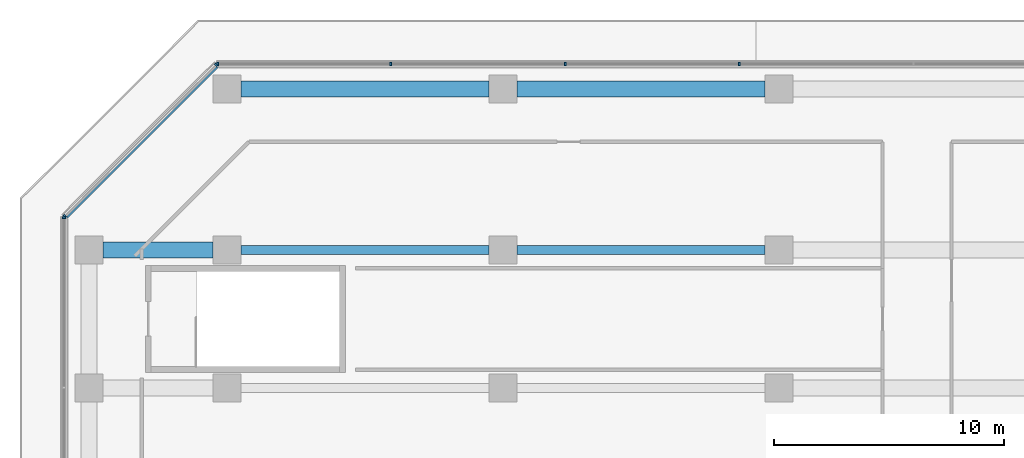
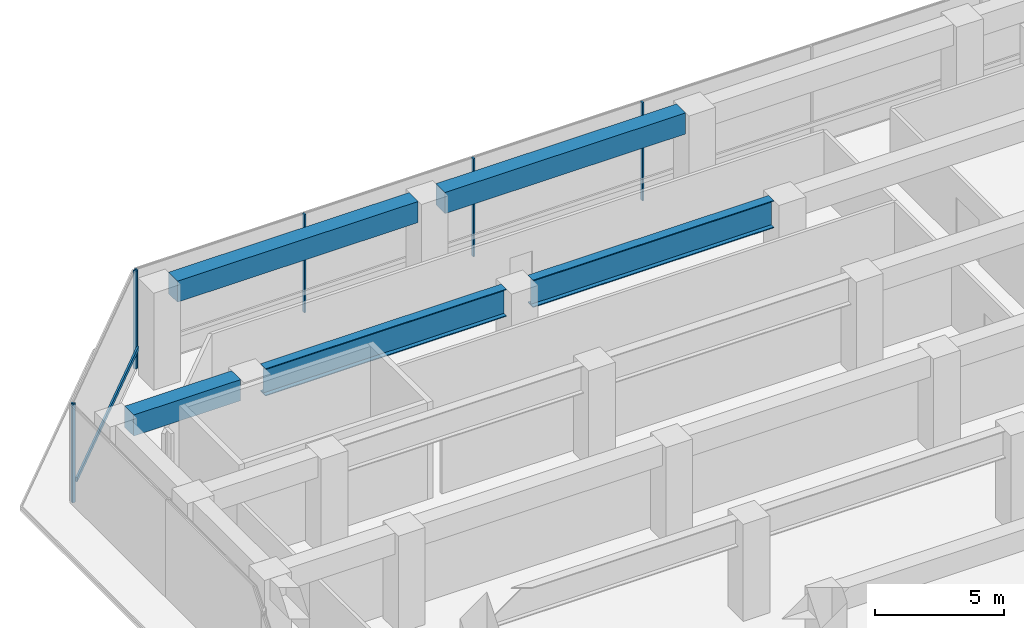
# One storey, part 18 of 40: 8 members, 5 beams, 3 elements without a shape of their own.
"""IFC4 building model written with IfcOpenShell, lengths in metres."""

from ifc_helpers import new_model, si_unit, direction, frame, origin, origin_2d, place, context, subcontext, project, spatial, rectangle, i_section, extrude, material, layer, layer_set, material_profile, profile_set, type_object, element, aggregate, save


model = new_model("IFC4")

# Units and contexts
model_context = context("Model", 3, precision=1e-05, world=origin(), true_north=direction((0.0, 1.0)))
body_context = subcontext(model_context, "Body", "Model", "MODEL_VIEW")
ifc_project = project(units=[si_unit("LENGTHUNIT", "METRE"), si_unit("AREAUNIT", "SQUARE_METRE"), si_unit("VOLUMEUNIT", "CUBIC_METRE"), si_unit("PLANEANGLEUNIT", "RADIAN"), si_unit("MASSUNIT", "GRAM", prefix="KILO")], contexts=[model_context])

# Site, building, storey
site_placement = place(None, origin())
site = spatial("IfcSite", under=ifc_project, at=site_placement, CompositionType="ELEMENT")
building_placement = place(site_placement, origin())
building = spatial("IfcBuilding", under=site, at=building_placement, Name="Welwitschia Terrace Campus", CompositionType="ELEMENT")
storey_placement = place(building_placement, frame((0.0, 0.0, 6.0)))
storey = spatial("IfcBuildingStorey", under=building, at=storey_placement, Name="L01", CompositionType="ELEMENT", Elevation=6.0)

# Beams
ifc_material_1 = material(Name="Concrete C60/75", Category="concrete")
ifc_material_profile_1 = material_profile(ifc_material_1, rectangle(XDim=0.699951171875, YDim=1.0, at=origin_2d()))
ifc_profile_set_1 = profile_set([ifc_material_profile_1], Name="Concrete C60/75")
beam_type_1 = type_object("IfcBeamType", Name="Base block beam 700x1000", PredefinedType="BEAM", material=ifc_profile_set_1)
beam_placement = place(storey_placement, frame((-5.3994140625, 62.0, 4.10009765625), z_axis=(1.0, 0.0, 0.0), x_axis=(0.0, 1.0, 0.0)))
element("IfcBeam", 1, at=beam_placement, inside=storey, type_object=beam_type_1, Name="Beam BB1", PredefinedType="BEAM", context=body_context, shape_type="SweptSolid", body=[
    extrude(rectangle(XDim=0.699951171875, YDim=1.0, at=origin_2d()), origin(), (0.0, 0.0, 1.0), 4.798828125),
])
for number, where, z_axis, x_axis, name in (
    (2, (0.6005859375, 69.0, 4.10009765625), (1.0, 0.0, 0.0), (0.0, 1.0, 0.0), "Beam BB1"),
    (3, (12.6005859375, 69.0, 4.10009765625), (1.0, 0.0, 0.0), (0.0, 1.0, 0.0), "Beam BB1"),
):
    element("IfcBeam", number, at=place(storey_placement, frame(where, z_axis=z_axis, x_axis=x_axis)), inside=storey, type_object=beam_type_1, Name=name, PredefinedType="BEAM", context=body_context, shape_type="SweptSolid", body=[
        extrude(rectangle(XDim=0.699951171875, YDim=1.0, at=origin_2d()), origin(), (0.0, 0.0, 1.0), 10.798828125),
    ])

# Curtain wall, members
ifc_material_2 = material(Name="Bronze anodised aluminium", Category="aluminium")
ifc_layer = layer(ifc_material_2, 0.14990234375)
ifc_layer_set = layer_set([ifc_layer], Name="Bronze anodised aluminium")
curtain_wall_type = type_object("IfcCurtainWallType", Name="Curtain wall CW1 podium 7500", PredefinedType="NOTDEFINED", material=ifc_layer_set)
curtain_wall_1_placement = place(storey_placement, origin())
curtain_wall_1 = element("IfcCurtainWall", 4, at=curtain_wall_1_placement, inside=storey, type_object=curtain_wall_type, Name="CW L01.4.0", PredefinedType="NOTDEFINED")
ifc_material_3 = material(Name="Bronze anodised aluminium", Category="aluminium")
ifc_material_profile_2 = material_profile(ifc_material_3, rectangle(XDim=0.14990234375, YDim=0.080078125, at=origin_2d()))
ifc_profile_set_2 = profile_set([ifc_material_profile_2], Name="Bronze anodised aluminium")
member_type_1 = type_object("IfcMemberType", Name="Mullion 80x150", PredefinedType="MULLION", material=ifc_profile_set_2)
member_1_placement = place(storey_placement, frame((22.275390625, 70.0849609375, 0.0), z_axis=(0.0, 0.0, 1.0), x_axis=(0.0, -1.0, 0.0)))
member_1 = element("IfcMember", 5, at=member_1_placement, type_object=member_type_1, Name="Mullion L01.4.0.9", PredefinedType="MULLION", context=body_context, shape_type="SweptSolid", body=[
    extrude(rectangle(XDim=0.14990234375, YDim=0.080078125, at=origin_2d()), origin(), (0.0, 0.0, 1.0), 4.64990234375),
])
member_2_placement = place(storey_placement, frame((14.700439453125, 70.0849609375, 0.0), z_axis=(0.0, 0.0, 1.0), x_axis=(0.0, -1.0, 0.0)))
member_2 = element("IfcMember", 6, at=member_2_placement, type_object=member_type_1, Name="Mullion L01.4.0.10", PredefinedType="MULLION", context=body_context, shape_type="SweptSolid", body=[
    extrude(rectangle(XDim=0.14990234375, YDim=0.080078125, at=origin_2d()), origin(), (0.0, 0.0, 1.0), 4.64990234375),
])
member_3_placement = place(storey_placement, frame((7.12548828125, 70.0849609375, 0.0), z_axis=(0.0, 0.0, 1.0), x_axis=(0.0, -1.0, 0.0)))
member_3 = element("IfcMember", 7, at=member_3_placement, type_object=member_type_1, Name="Mullion L01.4.0.11", PredefinedType="MULLION", context=body_context, shape_type="SweptSolid", body=[
    extrude(rectangle(XDim=0.14990234375, YDim=0.080078125, at=origin_2d()), origin(), (0.0, 0.0, 1.0), 4.64990234375),
])
member_4_placement = place(storey_placement, frame((-0.409423828125, 70.0849609375, 0.0), z_axis=(0.0, 0.0, 1.0), x_axis=(0.0, -1.0, 0.0)))
member_4 = element("IfcMember", 8, at=member_4_placement, type_object=member_type_1, Name="Mullion L01.4.0.12", PredefinedType="MULLION", context=body_context, shape_type="SweptSolid", body=[
    extrude(rectangle(XDim=0.14990234375, YDim=0.080078125, at=origin_2d()), origin(), (0.0, 0.0, 1.0), 4.64990234375),
])
aggregate(curtain_wall_1, [member_1, member_2, member_3, member_4])

curtain_wall_2_placement = place(storey_placement, origin())
curtain_wall_2 = element("IfcCurtainWall", 9, at=curtain_wall_2_placement, inside=storey, type_object=curtain_wall_type, Name="CW L01.5.0", PredefinedType="NOTDEFINED")
member_5_placement = place(storey_placement, frame((-0.477783203125, 70.056640625, 0.0), z_axis=(0.0, 0.0, 1.0), x_axis=(0.707106781187, -0.707106781187, 0.0)))
member_5 = element("IfcMember", 10, at=member_5_placement, type_object=member_type_1, Name="Mullion L01.5.0.0", PredefinedType="MULLION", context=body_context, shape_type="SweptSolid", body=[
    extrude(rectangle(XDim=0.14990234375, YDim=0.080078125, at=origin_2d()), origin(), (0.0, 0.0, 1.0), 4.64990234375),
])
member_6_placement = place(storey_placement, frame((-7.056640625, 63.477783203125, 0.0), z_axis=(0.0, 0.0, 1.0), x_axis=(0.707106781187, -0.707106781187, 0.0)))
member_6 = element("IfcMember", 11, at=member_6_placement, type_object=member_type_1, Name="Mullion L01.5.0.1", PredefinedType="MULLION", context=body_context, shape_type="SweptSolid", body=[
    extrude(rectangle(XDim=0.14990234375, YDim=0.080078125, at=origin_2d()), origin(), (0.0, 0.0, 1.0), 4.64990234375),
])

# Curtain wall, member
curtain_wall_3_placement = place(storey_placement, origin())
curtain_wall_3 = element("IfcCurtainWall", 12, at=curtain_wall_3_placement, inside=storey, type_object=curtain_wall_type, Name="CW L01.6.0", PredefinedType="NOTDEFINED")
member_7_placement = place(storey_placement, frame((-7.0849609375, 63.409423828125, 0.0), z_axis=(0.0, 0.0, 1.0), x_axis=(1.0, 0.0, 0.0)))
member_7 = element("IfcMember", 13, at=member_7_placement, type_object=member_type_1, Name="Mullion L01.6.0.0", PredefinedType="MULLION", context=body_context, shape_type="SweptSolid", body=[
    extrude(rectangle(XDim=0.14990234375, YDim=0.080078125, at=origin_2d()), origin(), (0.0, 0.0, 1.0), 4.64990234375),
])
aggregate(curtain_wall_3, [member_7])

# Beams
ifc_material_4 = material(Name="Steel S355", Category="steel")
ifc_material_profile_3 = material_profile(ifc_material_4, i_section(OverallWidth=0.39990234375, OverallDepth=1.300048828125, WebThickness=0.02490234375, FlangeThickness=0.0400390625, at=origin_2d()))
ifc_profile_set_3 = profile_set([ifc_material_profile_3], Name="Steel S355")
beam_type_2 = type_object("IfcBeamType", Name="Transfer girder WI 1300x400x25x40", PredefinedType="BEAM", material=ifc_profile_set_3)
for number, where, z_axis, x_axis, name in (
    (14, (12.6005859375, 62.0, 3.949951171875), (1.0, 0.0, 0.0), (0.0, 1.0, 0.0), "Transfer girder TG1"),
    (15, (0.6005859375, 62.0, 3.949951171875), (1.0, 0.0, 0.0), (0.0, 1.0, 0.0), "Transfer girder TG1"),
):
    element("IfcBeam", number, at=place(storey_placement, frame(where, z_axis=z_axis, x_axis=x_axis)), inside=storey, type_object=beam_type_2, Name=name, PredefinedType="BEAM", context=body_context, shape_type="SweptSolid", body=[
        extrude(i_section(OverallWidth=0.39990234375, OverallDepth=1.300048828125, WebThickness=0.02490234375, FlangeThickness=0.0400390625, at=origin_2d()), origin(), (0.0, 0.0, 1.0), 10.798828125),
    ])

# Member
ifc_material_5 = material(Name="Bronze anodised aluminium", Category="aluminium")
ifc_material_profile_4 = material_profile(ifc_material_5, rectangle(XDim=0.080078125, YDim=0.199951171875, at=origin_2d()))
ifc_profile_set_4 = profile_set([ifc_material_profile_4], Name="Bronze anodised aluminium")
member_type_2 = type_object("IfcMemberType", Name="Transom 80x200", PredefinedType="USERDEFINED", material=ifc_profile_set_4)
member_8_placement = place(storey_placement, frame((-0.424560546875, 69.947021484375, 1.0), z_axis=(-0.707106781187, -0.707106781187, 0.0), x_axis=(0.707106781187, -0.707106781187, 0.0)))
member_8 = element("IfcMember", 16, at=member_8_placement, type_object=member_type_2, Name="Transom L01.5.0", ObjectType="TRANSOM", PredefinedType="USERDEFINED", context=body_context, shape_type="SweptSolid", body=[
    extrude(rectangle(XDim=0.080078125, YDim=0.199951171875, at=origin_2d()), origin(), (0.0, 0.0, 1.0), 9.22412109375),
])

aggregate(curtain_wall_2, [member_5, member_6, member_8])

save(model, "model.ifc")
